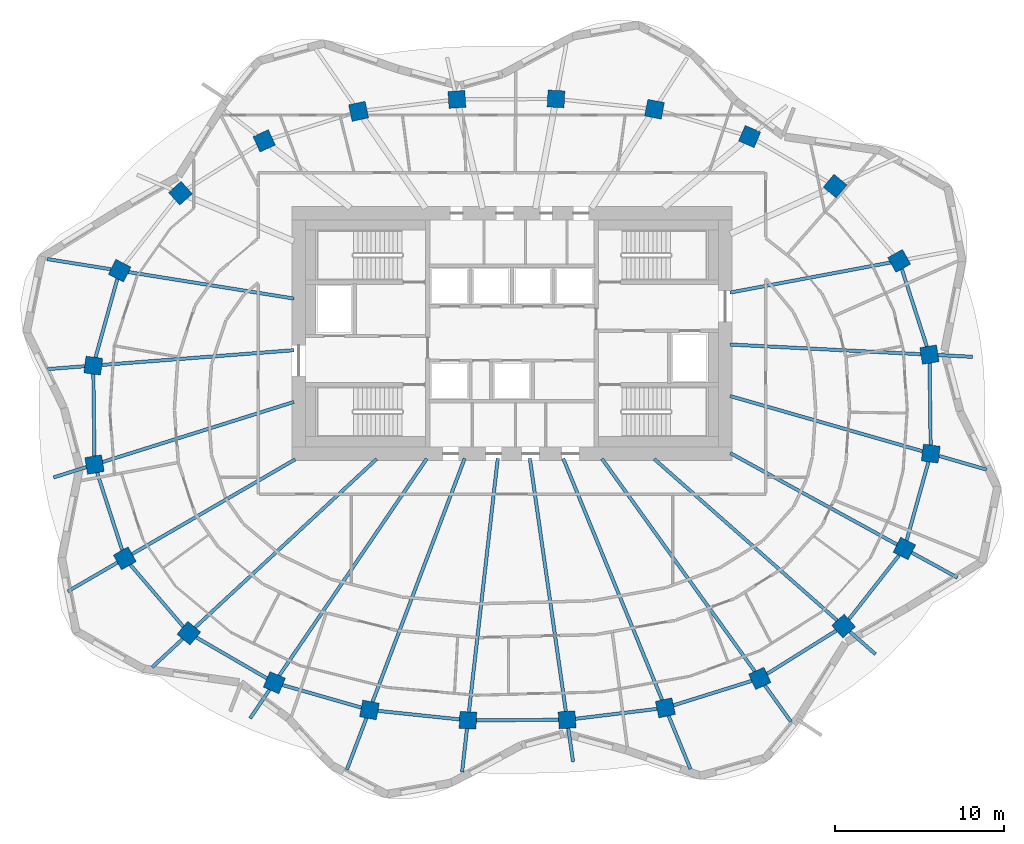
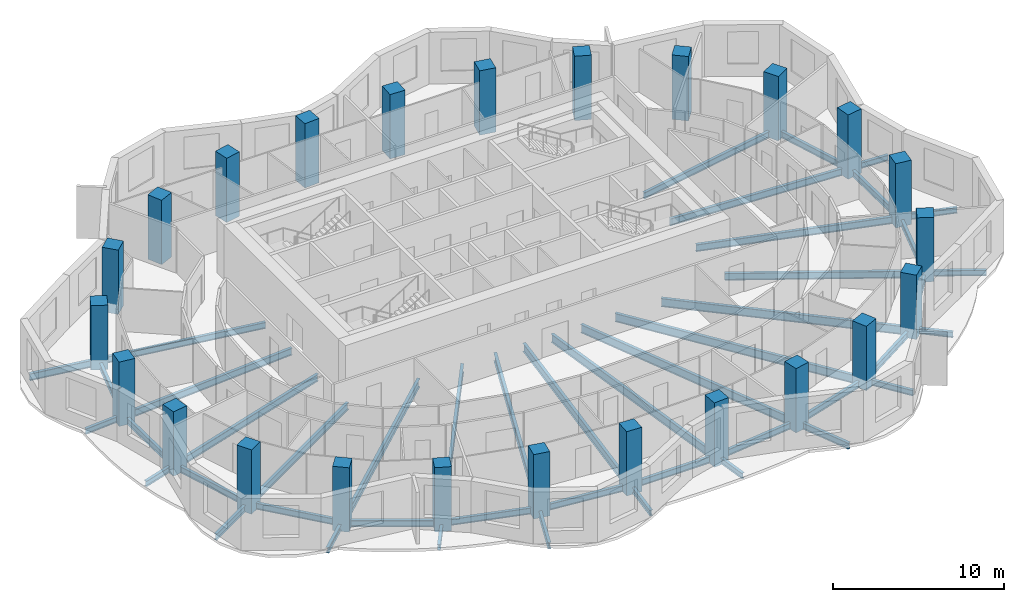
# One storey, part 1 of 11: 46 beams, 24 columns.
"""IFC4 building model written with IfcOpenShell, lengths in metres."""

from ifc_helpers import new_model, si_unit, direction, frame, origin, origin_2d, place, context, subcontext, project, spatial, rectangle, i_section, extrude, material, material_profile, profile_set, type_object, element, save


model = new_model("IFC4")

# Units and contexts
model_context = context("Model", 3, precision=1e-05, world=origin(), true_north=direction((0.0, 1.0)))
body_context = subcontext(model_context, "Body", "Model", "MODEL_VIEW")
ifc_project = project(units=[si_unit("LENGTHUNIT", "METRE"), si_unit("AREAUNIT", "SQUARE_METRE"), si_unit("VOLUMEUNIT", "CUBIC_METRE"), si_unit("PLANEANGLEUNIT", "RADIAN"), si_unit("MASSUNIT", "GRAM", prefix="KILO")], contexts=[model_context])

# Site, building, storey
site_placement = place(None, origin())
site = spatial("IfcSite", under=ifc_project, at=site_placement, CompositionType="ELEMENT")
building_placement = place(site_placement, origin())
building = spatial("IfcBuilding", under=site, at=building_placement, Name="Rubra Terraces Tower", CompositionType="ELEMENT")
storey_placement = place(building_placement, frame((0.0, 0.0, 174.0)))
storey = spatial("IfcBuildingStorey", under=building, at=storey_placement, Name="L42", CompositionType="ELEMENT", Elevation=174.0)

# Columns
ifc_material_1 = material(Name="Concrete C50", Category="concrete")
ifc_material_profile_1 = material_profile(ifc_material_1, rectangle(XDim=1.0, YDim=1.0, at=origin_2d()), Name="RC 1000x1000")
ifc_profile_set_1 = profile_set([ifc_material_profile_1], Name="Concrete C50")
column_type = type_object("IfcColumnType", Name="RING COLUMN RC 1000x1000 C50", PredefinedType="COLUMN", material=ifc_profile_set_1)
for number, where, z_axis, x_axis, name in (
    (1, (24.6689453125, 3.248046875, -0.699951171875), (0.0, 0.0, 1.0), (-0.161559167715, 0.986863027642, 0.0), "column-L42-ring-01"),
    (2, (22.87890625, 8.787109375, -0.699951171875), (0.0, 0.0, 1.0), (-0.48852601316, 0.872549330678, 0.0), "column-L42-ring-02"),
    (3, (19.092041015625, 13.208984375, -0.699951171875), (0.0, 0.0, 1.0), (-0.76886986222, 0.63940529789, 0.0), "column-L42-ring-03"),
    (4, (14.0419921875, 16.135986328125, -0.699951171875), (0.0, 0.0, 1.0), (-0.920167856842, 0.391524092789, 0.0), "column-L42-ring-04"),
    (5, (8.422119140625, 17.7490234375, -0.699951171875), (0.0, 0.0, 1.0), (-0.981654668733, 0.19066754143, 0.0), "column-L42-ring-05"),
    (6, (2.60205078125, 18.35791015625, -0.699951171875), (0.0, 0.0, 1.0), (-0.998764256028, 0.049698700995, 0.0), "column-L42-ring-06"),
    (7, (-3.25390625, 18.330078125, -0.699951171875), (0.0, 0.0, 1.0), (-0.998031548759, -0.062713855578, 0.0), "column-L42-ring-07"),
    (8, (-9.06298828125, 17.625, -0.699951171875), (0.0, 0.0, 1.0), (-0.977652674797, -0.210226657352, 0.0), "column-L42-ring-08"),
    (9, (-14.64306640625, 15.881103515625, -0.699951171875), (0.0, 0.0, 1.0), (-0.908778580451, -0.417278673927, 0.0), "column-L42-ring-09"),
    (10, (-19.593017578125, 12.7900390625, -0.699951171875), (0.0, 0.0, 1.0), (-0.744021317198, -0.668155879683, 0.0), "column-L42-ring-10"),
    (11, (-23.18505859375, 8.2099609375, -0.699951171875), (0.0, 0.0, 1.0), (-0.451027931402, -0.892509834733, 0.0), "column-L42-ring-11"),
    (12, (-24.742919921875, 2.59912109375, -0.699951171875), (0.0, 0.0, 1.0), (-0.128443684554, -0.991716804283, 0.0), "column-L42-ring-12"),
    (13, (-24.6689453125, -3.248046875, -0.699951171875), (0.0, 0.0, 1.0), (0.161559167715, -0.986863027642, 0.0), "column-L42-ring-13"),
    (14, (-22.87890625, -8.787109375, -0.699951171875), (0.0, 0.0, 1.0), (0.48852601316, -0.872549330678, 0.0), "column-L42-ring-14"),
    (15, (-19.092041015625, -13.208984375, -0.699951171875), (0.0, 0.0, 1.0), (0.76886986222, -0.63940529789, 0.0), "column-L42-ring-15"),
    (16, (-14.0419921875, -16.135986328125, -0.699951171875), (0.0, 0.0, 1.0), (0.920167856842, -0.391524092789, 0.0), "column-L42-ring-16"),
    (17, (-8.422119140625, -17.7490234375, -0.699951171875), (0.0, 0.0, 1.0), (0.981654668733, -0.19066754143, 0.0), "column-L42-ring-17"),
    (18, (-2.60205078125, -18.35791015625, -0.699951171875), (0.0, 0.0, 1.0), (0.998764256028, -0.049698700995, 0.0), "column-L42-ring-18"),
    (19, (3.25390625, -18.330078125, -0.699951171875), (0.0, 0.0, 1.0), (0.998031548759, 0.062713855578, 0.0), "column-L42-ring-19"),
    (20, (9.06298828125, -17.625, -0.699951171875), (0.0, 0.0, 1.0), (0.977652674797, 0.210226657352, 0.0), "column-L42-ring-20"),
    (21, (14.64306640625, -15.881103515625, -0.699951171875), (0.0, 0.0, 1.0), (0.908778580451, 0.417278673927, 0.0), "column-L42-ring-21"),
    (22, (19.593017578125, -12.7900390625, -0.699951171875), (0.0, 0.0, 1.0), (0.744021317198, 0.668155879683, 0.0), "column-L42-ring-22"),
    (23, (23.18505859375, -8.2099609375, -0.699951171875), (0.0, 0.0, 1.0), (0.451027931402, 0.892509834733, 0.0), "column-L42-ring-23"),
    (24, (24.742919921875, -2.59912109375, -0.699951171875), (0.0, 0.0, 1.0), (0.128443684554, 0.991716804283, 0.0), "column-L42-ring-24"),
):
    element("IfcColumn", number, at=place(storey_placement, frame(where, z_axis=z_axis, x_axis=x_axis)), inside=storey, type_object=column_type, Name=name, PredefinedType="COLUMN", context=body_context, shape_type="SweptSolid", body=[
        extrude(rectangle(XDim=1.0, YDim=1.0, at=origin_2d()), origin(), (0.0, 0.0, 1.0), 4.599853515625),
    ])

# Beams
ifc_material_2 = material(Name="Steel Q355B", Category="steel")
ifc_material_profile_2 = material_profile(ifc_material_2, i_section(OverallWidth=0.199951171875, OverallDepth=0.39990234375, WebThickness=0.008056640625, FlangeThickness=0.012939453125, at=origin_2d()), Name="HN 400x200x8x13")
ifc_profile_set_2 = profile_set([ifc_material_profile_2], Name="Steel Q355B")
beam_type_1 = type_object("IfcBeamType", Name="CANTILEVER BEAM HN 400x200x8x13", PredefinedType="BEAM", material=ifc_profile_set_2)
beam_1_placement = place(storey_placement, frame((25.179931640625, 3.221923828125, -0.39990234375), z_axis=(0.99870842359, -0.05080831281, 0.0), x_axis=(0.05080831281, 0.99870842359, 0.0)))
element("IfcBeam", 25, at=beam_1_placement, inside=storey, type_object=beam_type_1, Name="beam-L42-cant-01", PredefinedType="BEAM", context=body_context, shape_type="SweptSolid", body=[
    extrude(i_section(OverallWidth=0.199951171875, OverallDepth=0.39990234375, WebThickness=0.008056640625, FlangeThickness=0.012939453125, at=origin_2d()), origin(), (0.0, 0.0, 1.0), 2.02783203125),
])
beam_2_placement = place(storey_placement, frame((-25.251953125, 2.56005859375, -0.39990234375), z_axis=(-0.997072655985, -0.076459915552, 0.0), x_axis=(0.076459915552, -0.997072655985, 0.0)))
element("IfcBeam", 26, at=beam_2_placement, inside=storey, type_object=beam_type_1, Name="beam-L42-cant-12", PredefinedType="BEAM", context=body_context, shape_type="SweptSolid", body=[
    extrude(i_section(OverallWidth=0.199951171875, OverallDepth=0.39990234375, WebThickness=0.008056640625, FlangeThickness=0.012939453125, at=origin_2d()), origin(), (0.0, 0.0, 1.0), 2.20947265625),
])
beam_3_placement = place(storey_placement, frame((-25.15087890625, -3.39892578125, -0.39990234375), z_axis=(-0.953943590819, -0.299986042235, 0.0), x_axis=(0.299986042235, -0.953943590819, 0.0)))
element("IfcBeam", 27, at=beam_3_placement, inside=storey, type_object=beam_type_1, Name="beam-L42-cant-13", PredefinedType="BEAM", context=body_context, shape_type="SweptSolid", body=[
    extrude(i_section(OverallWidth=0.199951171875, OverallDepth=0.39990234375, WebThickness=0.008056640625, FlangeThickness=0.012939453125, at=origin_2d()), origin(), (0.0, 0.0, 1.0), 2.030517578125),
])
beam_4_placement = place(storey_placement, frame((-19.4619140625, -13.552001953125, -0.39990234375), z_axis=(-0.733131141313, -0.6800872956, 0.0), x_axis=(0.6800872956, -0.733131141313, 0.0)))
element("IfcBeam", 28, at=beam_4_placement, inside=storey, type_object=beam_type_1, Name="beam-L42-cant-15", PredefinedType="BEAM", context=body_context, shape_type="SweptSolid", body=[
    extrude(i_section(OverallWidth=0.199951171875, OverallDepth=0.39990234375, WebThickness=0.008056640625, FlangeThickness=0.012939453125, at=origin_2d()), origin(), (0.0, 0.0, 1.0), 2.4716796875),
])
beam_5_placement = place(storey_placement, frame((-14.3291015625, -16.556884765625, -0.39990234375), z_axis=(-0.56217604695, -0.827017588831, 0.0), x_axis=(0.827017588831, -0.56217604695, 0.0)))
element("IfcBeam", 29, at=beam_5_placement, inside=storey, type_object=beam_type_1, Name="beam-L42-cant-16", PredefinedType="BEAM", context=body_context, shape_type="SweptSolid", body=[
    extrude(i_section(OverallWidth=0.199951171875, OverallDepth=0.39990234375, WebThickness=0.008056640625, FlangeThickness=0.012939453125, at=origin_2d()), origin(), (0.0, 0.0, 1.0), 2.043701171875),
])
beam_6_placement = place(storey_placement, frame((-2.658935546875, -18.85595703125, -0.39990234375), z_axis=(-0.11286294962, -0.993610564861, 0.0), x_axis=(0.993610564861, -0.11286294962, 0.0)))
element("IfcBeam", 30, at=beam_6_placement, inside=storey, type_object=beam_type_1, Name="beam-L42-cant-18", PredefinedType="BEAM", context=body_context, shape_type="SweptSolid", body=[
    extrude(i_section(OverallWidth=0.199951171875, OverallDepth=0.39990234375, WebThickness=0.008056640625, FlangeThickness=0.012939453125, at=origin_2d()), origin(), (0.0, 0.0, 1.0), 2.578369140625),
])
beam_7_placement = place(storey_placement, frame((3.324951171875, -18.826904296875, -0.39990234375), z_axis=(0.140978579341, -0.990012646468, 0.0), x_axis=(0.990012646468, 0.140978579341, 0.0)))
element("IfcBeam", 31, at=beam_7_placement, inside=storey, type_object=beam_type_1, Name="beam-L42-cant-19", PredefinedType="BEAM", context=body_context, shape_type="SweptSolid", body=[
    extrude(i_section(OverallWidth=0.199951171875, OverallDepth=0.39990234375, WebThickness=0.008056640625, FlangeThickness=0.012939453125, at=origin_2d()), origin(), (0.0, 0.0, 1.0), 2.007080078125),
])
beam_8_placement = place(storey_placement, frame((14.93994140625, -16.294921875, -0.39990234375), z_axis=(0.583708638616, -0.811963192026, 0.0), x_axis=(0.811963192026, 0.583708638616, 0.0)))
element("IfcBeam", 32, at=beam_8_placement, inside=storey, type_object=beam_type_1, Name="beam-L42-cant-21", PredefinedType="BEAM", context=body_context, shape_type="SweptSolid", body=[
    extrude(i_section(OverallWidth=0.199951171875, OverallDepth=0.39990234375, WebThickness=0.008056640625, FlangeThickness=0.012939453125, at=origin_2d()), origin(), (0.0, 0.0, 1.0), 2.63330078125),
])
beam_9_placement = place(storey_placement, frame((19.969970703125, -13.123046875, -0.39990234375), z_axis=(0.749880449764, -0.661573360303, 0.0), x_axis=(0.661573360303, 0.749880449764, 0.0)))
element("IfcBeam", 33, at=beam_9_placement, inside=storey, type_object=beam_type_1, Name="beam-L42-cant-22", PredefinedType="BEAM", context=body_context, shape_type="SweptSolid", body=[
    extrude(i_section(OverallWidth=0.199951171875, OverallDepth=0.39990234375, WebThickness=0.008056640625, FlangeThickness=0.012939453125, at=origin_2d()), origin(), (0.0, 0.0, 1.0), 2.007080078125),
])
beam_10_placement = place(storey_placement, frame((23.6240234375, -8.449951171875, -0.39990234375), z_axis=(0.876753057926, -0.480940823197, 0.0), x_axis=(0.480940823197, 0.876753057926, 0.0)))
element("IfcBeam", 34, at=beam_10_placement, inside=storey, type_object=beam_type_1, Name="beam-L42-cant-23", PredefinedType="BEAM", context=body_context, shape_type="SweptSolid", body=[
    extrude(i_section(OverallWidth=0.199951171875, OverallDepth=0.39990234375, WebThickness=0.008056640625, FlangeThickness=0.012939453125, at=origin_2d()), origin(), (0.0, 0.0, 1.0), 3.0771484375),
])
beam_11_placement = place(storey_placement, frame((25.22900390625, -2.738037109375, -0.39990234375), z_axis=(0.961186154609, -0.275900663625, 0.0), x_axis=(0.275900663625, 0.961186154609, 0.0)))
element("IfcBeam", 35, at=beam_11_placement, inside=storey, type_object=beam_type_1, Name="beam-L42-cant-24", PredefinedType="BEAM", context=body_context, shape_type="SweptSolid", body=[
    extrude(i_section(OverallWidth=0.199951171875, OverallDepth=0.39990234375, WebThickness=0.008056640625, FlangeThickness=0.012939453125, at=origin_2d()), origin(), (0.0, 0.0, 1.0), 2.924560546875),
])
ifc_material_profile_3 = material_profile(ifc_material_2, i_section(OverallWidth=0.198974609375, OverallDepth=0.446044921875, WebThickness=0.008056640625, FlangeThickness=0.011962890625, at=origin_2d()), Name="HN 446x199x8x12")
ifc_profile_set_3 = profile_set([ifc_material_profile_3], Name="Steel Q355B")
beam_type_2 = type_object("IfcBeamType", Name="CANTILEVER BEAM HN 446x199x8x12", PredefinedType="BEAM", material=ifc_profile_set_3)
beam_12_placement = place(storey_placement, frame((-23.31103515625, -9.0380859375, -0.423095703125), z_axis=(-0.864731547831, -0.50223435783, 0.0), x_axis=(0.50223435783, -0.864731547831, 0.0)))
element("IfcBeam", 36, at=beam_12_placement, inside=storey, type_object=beam_type_2, Name="beam-L42-cant-14", PredefinedType="BEAM", context=body_context, shape_type="SweptSolid", body=[
    extrude(i_section(OverallWidth=0.198974609375, OverallDepth=0.446044921875, WebThickness=0.008056640625, FlangeThickness=0.011962890625, at=origin_2d()), origin(), (0.0, 0.0, 1.0), 3.396484375),
])
beam_13_placement = place(storey_placement, frame((-8.60205078125, -18.222900390625, -0.423095703125), z_axis=(-0.353886787497, -0.935288266597, 0.0), x_axis=(0.935288266597, -0.353886787497, 0.0)))
element("IfcBeam", 37, at=beam_13_placement, inside=storey, type_object=beam_type_2, Name="beam-L42-cant-17", PredefinedType="BEAM", context=body_context, shape_type="SweptSolid", body=[
    extrude(i_section(OverallWidth=0.198974609375, OverallDepth=0.446044921875, WebThickness=0.008056640625, FlangeThickness=0.011962890625, at=origin_2d()), origin(), (0.0, 0.0, 1.0), 3.260986328125),
])
beam_14_placement = place(storey_placement, frame((9.256103515625, -18.094970703125, -0.423095703125), z_axis=(0.378957804719, -0.925413951831, 0.0), x_axis=(0.925413951831, 0.378957804719, 0.0)))
element("IfcBeam", 38, at=beam_14_placement, inside=storey, type_object=beam_type_2, Name="beam-L42-cant-20", PredefinedType="BEAM", context=body_context, shape_type="SweptSolid", body=[
    extrude(i_section(OverallWidth=0.198974609375, OverallDepth=0.446044921875, WebThickness=0.008056640625, FlangeThickness=0.011962890625, at=origin_2d()), origin(), (0.0, 0.0, 1.0), 3.393310546875),
])
ifc_material_profile_4 = material_profile(ifc_material_2, i_section(OverallWidth=0.198974609375, OverallDepth=0.49609375, WebThickness=0.009033203125, FlangeThickness=0.013916015625, at=origin_2d()), Name="HN 496x199x9x14")
ifc_profile_set_4 = profile_set([ifc_material_profile_4], Name="Steel Q355B")
beam_type_3 = type_object("IfcBeamType", Name="CANTILEVER BEAM HN 496x199x9x14", PredefinedType="BEAM", material=ifc_profile_set_4)
beam_15_placement = place(storey_placement, frame((-23.702880859375, 8.29296875, -0.447998046875), z_axis=(-0.98745581053, 0.157895605548, 0.0), x_axis=(-0.157895605548, -0.98745581053, 0.0)))
element("IfcBeam", 39, at=beam_15_placement, inside=storey, type_object=beam_type_3, Name="beam-L42-cant-11", PredefinedType="BEAM", context=body_context, shape_type="SweptSolid", body=[
    extrude(i_section(OverallWidth=0.198974609375, OverallDepth=0.49609375, WebThickness=0.009033203125, FlangeThickness=0.013916015625, at=origin_2d()), origin(), (0.0, 0.0, 1.0), 3.81298828125),
])
ifc_material_profile_5 = material_profile(ifc_material_2, i_section(OverallWidth=0.198974609375, OverallDepth=0.446044921875, WebThickness=0.008056640625, FlangeThickness=0.011962890625, at=origin_2d()), Name="HN 446x199x8x12")
ifc_profile_set_5 = profile_set([ifc_material_profile_5], Name="Steel Q355B")
beam_type_4 = type_object("IfcBeamType", Name="FLOOR BEAM HN 446x199x8x12", PredefinedType="BEAM", material=ifc_profile_set_5)
beam_16_placement = place(storey_placement, frame((22.360107421875, 8.68994140625, -0.423095703125), z_axis=(-0.982895681695, -0.18416318553, 0.0), x_axis=(0.18416318553, -0.982895681695, 0.0)))
element("IfcBeam", 40, at=beam_16_placement, inside=storey, type_object=beam_type_4, Name="beam-L42-floor-02", PredefinedType="BEAM", context=body_context, shape_type="SweptSolid", body=[
    extrude(i_section(OverallWidth=0.198974609375, OverallDepth=0.446044921875, WebThickness=0.008056640625, FlangeThickness=0.011962890625, at=origin_2d()), origin(), (0.0, 0.0, 1.0), 9.64306640625),
])
beam_17_placement = place(storey_placement, frame((-22.6669921875, 8.126953125, -0.423095703125), z_axis=(0.987435404133, -0.158023171289, 0.0), x_axis=(0.158023171289, 0.987435404133, 0.0)))
element("IfcBeam", 41, at=beam_17_placement, inside=storey, type_object=beam_type_4, Name="beam-L42-floor-11", PredefinedType="BEAM", context=body_context, shape_type="SweptSolid", body=[
    extrude(i_section(OverallWidth=0.198974609375, OverallDepth=0.446044921875, WebThickness=0.008056640625, FlangeThickness=0.011962890625, at=origin_2d()), origin(), (0.0, 0.0, 1.0), 9.909423828125),
])
ifc_material_profile_6 = material_profile(ifc_material_2, i_section(OverallWidth=0.198974609375, OverallDepth=0.49609375, WebThickness=0.009033203125, FlangeThickness=0.013916015625, at=origin_2d()), Name="HN 496x199x9x14")
ifc_profile_set_6 = profile_set([ifc_material_profile_6], Name="Steel Q355B")
beam_type_5 = type_object("IfcBeamType", Name="FLOOR BEAM HN 496x199x9x14", PredefinedType="BEAM", material=ifc_profile_set_6)
beam_18_placement = place(storey_placement, frame((24.157958984375, 3.27392578125, -0.447998046875), z_axis=(-0.998716228561, 0.050654662269, 0.0), x_axis=(-0.050654662269, -0.998716228561, 0.0)))
element("IfcBeam", 42, at=beam_18_placement, inside=storey, type_object=beam_type_5, Name="beam-L42-floor-01", PredefinedType="BEAM", context=body_context, shape_type="SweptSolid", body=[
    extrude(i_section(OverallWidth=0.198974609375, OverallDepth=0.49609375, WebThickness=0.009033203125, FlangeThickness=0.013916015625, at=origin_2d()), origin(), (0.0, 0.0, 1.0), 11.29248046875),
])
beam_19_placement = place(storey_placement, frame((-24.23388671875, 2.637939453125, -0.447998046875), z_axis=(0.997063306908, 0.076581734234, 0.0), x_axis=(-0.076581734234, 0.997063306908, 0.0)))
element("IfcBeam", 43, at=beam_19_placement, inside=storey, type_object=beam_type_5, Name="beam-L42-floor-12", PredefinedType="BEAM", context=body_context, shape_type="SweptSolid", body=[
    extrude(i_section(OverallWidth=0.198974609375, OverallDepth=0.49609375, WebThickness=0.009033203125, FlangeThickness=0.013916015625, at=origin_2d()), origin(), (0.0, 0.0, 1.0), 11.387451171875),
])
beam_20_placement = place(storey_placement, frame((-24.18701171875, -3.096923828125, -0.447998046875), z_axis=(0.954040699023, 0.299677067204, 0.0), x_axis=(-0.299677067204, 0.954040699023, 0.0)))
element("IfcBeam", 44, at=beam_20_placement, inside=storey, type_object=beam_type_5, Name="beam-L42-floor-13", PredefinedType="BEAM", context=body_context, shape_type="SweptSolid", body=[
    extrude(i_section(OverallWidth=0.198974609375, OverallDepth=0.49609375, WebThickness=0.009033203125, FlangeThickness=0.013916015625, at=origin_2d()), origin(), (0.0, 0.0, 1.0), 11.845458984375),
])
beam_21_placement = place(storey_placement, frame((-22.447021484375, -8.535888671875, -0.447998046875), z_axis=(0.864755491844, 0.502193129508, 0.0), x_axis=(-0.502193129508, 0.864755491844, 0.0)))
element("IfcBeam", 45, at=beam_21_placement, inside=storey, type_object=beam_type_5, Name="beam-L42-floor-14", PredefinedType="BEAM", context=body_context, shape_type="SweptSolid", body=[
    extrude(i_section(OverallWidth=0.198974609375, OverallDepth=0.49609375, WebThickness=0.009033203125, FlangeThickness=0.013916015625, at=origin_2d()), origin(), (0.0, 0.0, 1.0), 11.14306640625),
])
beam_22_placement = place(storey_placement, frame((22.74609375, -7.969970703125, -0.447998046875), z_axis=(-0.876862055903, 0.480742066932, 0.0), x_axis=(-0.480742066932, -0.876862055903, 0.0)))
element("IfcBeam", 46, at=beam_22_placement, inside=storey, type_object=beam_type_5, Name="beam-L42-floor-23", PredefinedType="BEAM", context=body_context, shape_type="SweptSolid", body=[
    extrude(i_section(OverallWidth=0.198974609375, OverallDepth=0.49609375, WebThickness=0.009033203125, FlangeThickness=0.013916015625, at=origin_2d()), origin(), (0.0, 0.0, 1.0), 11.234375),
])
beam_23_placement = place(storey_placement, frame((24.257080078125, -2.4599609375, -0.447998046875), z_axis=(-0.961215754667, 0.275797521707, 0.0), x_axis=(-0.275797521707, -0.961215754667, 0.0)))
element("IfcBeam", 47, at=beam_23_placement, inside=storey, type_object=beam_type_5, Name="beam-L42-floor-24", PredefinedType="BEAM", context=body_context, shape_type="SweptSolid", body=[
    extrude(i_section(OverallWidth=0.198974609375, OverallDepth=0.49609375, WebThickness=0.009033203125, FlangeThickness=0.013916015625, at=origin_2d()), origin(), (0.0, 0.0, 1.0), 11.830810546875),
])
ifc_material_profile_7 = material_profile(ifc_material_2, i_section(OverallWidth=0.198974609375, OverallDepth=0.595947265625, WebThickness=0.010009765625, FlangeThickness=0.014892578125, at=origin_2d()), Name="HN 596x199x10x15")
ifc_profile_set_7 = profile_set([ifc_material_profile_7], Name="Steel Q355B")
beam_type_6 = type_object("IfcBeamType", Name="FLOOR BEAM HN 596x199x10x15", PredefinedType="BEAM", material=ifc_profile_set_7)
beam_24_placement = place(storey_placement, frame((-18.721923828125, -12.865966796875, -0.498046875), z_axis=(0.733130458484, 0.680088031687, 0.0), x_axis=(-0.680088031687, 0.733130458484, 0.0)))
element("IfcBeam", 48, at=beam_24_placement, inside=storey, type_object=beam_type_6, Name="beam-L42-floor-15", PredefinedType="BEAM", context=body_context, shape_type="SweptSolid", body=[
    extrude(i_section(OverallWidth=0.198974609375, OverallDepth=0.595947265625, WebThickness=0.010009765625, FlangeThickness=0.014892578125, at=origin_2d()), origin(), (0.0, 0.0, 1.0), 14.62744140625),
])
beam_25_placement = place(storey_placement, frame((-13.7548828125, -15.715087890625, -0.498046875), z_axis=(0.562545242124, 0.826766503049, 0.0), x_axis=(-0.826766503049, 0.562545242124, 0.0)))
element("IfcBeam", 49, at=beam_25_placement, inside=storey, type_object=beam_type_6, Name="beam-L42-floor-16", PredefinedType="BEAM", context=body_context, shape_type="SweptSolid", body=[
    extrude(i_section(OverallWidth=0.198974609375, OverallDepth=0.595947265625, WebThickness=0.010009765625, FlangeThickness=0.014892578125, at=origin_2d()), origin(), (0.0, 0.0, 1.0), 15.499267578125),
])
beam_26_placement = place(storey_placement, frame((-8.241943359375, -17.27490234375, -0.498046875), z_axis=(0.353955134415, 0.93526240319, 0.0), x_axis=(-0.93526240319, 0.353955134415, 0.0)))
element("IfcBeam", 50, at=beam_26_placement, inside=storey, type_object=beam_type_6, Name="beam-L42-floor-17", PredefinedType="BEAM", context=body_context, shape_type="SweptSolid", body=[
    extrude(i_section(OverallWidth=0.198974609375, OverallDepth=0.595947265625, WebThickness=0.010009765625, FlangeThickness=0.014892578125, at=origin_2d()), origin(), (0.0, 0.0, 1.0), 15.3828125),
])
beam_27_placement = place(storey_placement, frame((-2.544921875, -17.860107421875, -0.498046875), z_axis=(0.113084825914, 0.993585337124, 0.0), x_axis=(-0.993585337124, 0.113084825914, 0.0)))
element("IfcBeam", 51, at=beam_27_placement, inside=storey, type_object=beam_type_6, Name="beam-L42-floor-18", PredefinedType="BEAM", context=body_context, shape_type="SweptSolid", body=[
    extrude(i_section(OverallWidth=0.198974609375, OverallDepth=0.595947265625, WebThickness=0.010009765625, FlangeThickness=0.014892578125, at=origin_2d()), origin(), (0.0, 0.0, 1.0), 15.07568359375),
])
beam_28_placement = place(storey_placement, frame((3.18310546875, -17.8330078125, -0.498046875), z_axis=(-0.141104514479, 0.989994705033, 0.0), x_axis=(-0.989994705033, -0.141104514479, 0.0)))
element("IfcBeam", 52, at=beam_28_placement, inside=storey, type_object=beam_type_6, Name="beam-L42-floor-19", PredefinedType="BEAM", context=body_context, shape_type="SweptSolid", body=[
    extrude(i_section(OverallWidth=0.198974609375, OverallDepth=0.595947265625, WebThickness=0.010009765625, FlangeThickness=0.014892578125, at=origin_2d()), origin(), (0.0, 0.0, 1.0), 15.10302734375),
])
beam_29_placement = place(storey_placement, frame((8.8701171875, -17.155029296875, -0.498046875), z_axis=(-0.379015131933, 0.925390474214, 0.0), x_axis=(-0.925390474214, -0.379015131933, 0.0)))
element("IfcBeam", 53, at=beam_29_placement, inside=storey, type_object=beam_type_6, Name="beam-L42-floor-20", PredefinedType="BEAM", context=body_context, shape_type="SweptSolid", body=[
    extrude(i_section(OverallWidth=0.198974609375, OverallDepth=0.595947265625, WebThickness=0.010009765625, FlangeThickness=0.014892578125, at=origin_2d()), origin(), (0.0, 0.0, 1.0), 15.416259765625),
])
beam_30_placement = place(storey_placement, frame((14.345947265625, -15.467041015625, -0.498046875), z_axis=(-0.583528740197, 0.812092488183, 0.0), x_axis=(-0.812092488183, -0.583528740197, 0.0)))
element("IfcBeam", 54, at=beam_30_placement, inside=storey, type_object=beam_type_6, Name="beam-L42-floor-21", PredefinedType="BEAM", context=body_context, shape_type="SweptSolid", body=[
    extrude(i_section(OverallWidth=0.198974609375, OverallDepth=0.595947265625, WebThickness=0.010009765625, FlangeThickness=0.014892578125, at=origin_2d()), origin(), (0.0, 0.0, 1.0), 15.47119140625),
])
beam_31_placement = place(storey_placement, frame((19.216064453125, -12.45703125, -0.498046875), z_axis=(-0.749823025288, 0.661638444128, 0.0), x_axis=(-0.661638444128, -0.749823025288, 0.0)))
element("IfcBeam", 55, at=beam_31_placement, inside=storey, type_object=beam_type_6, Name="beam-L42-floor-22", PredefinedType="BEAM", context=body_context, shape_type="SweptSolid", body=[
    extrude(i_section(OverallWidth=0.198974609375, OverallDepth=0.595947265625, WebThickness=0.010009765625, FlangeThickness=0.014892578125, at=origin_2d()), origin(), (0.0, 0.0, 1.0), 14.412841796875),
])
ifc_material_profile_8 = material_profile(ifc_material_2, i_section(OverallWidth=0.198974609375, OverallDepth=0.446044921875, WebThickness=0.008056640625, FlangeThickness=0.011962890625, at=origin_2d()), Name="HN 446x199x8x12")
ifc_profile_set_8 = profile_set([ifc_material_profile_8], Name="Steel Q355B")
beam_type_7 = type_object("IfcBeamType", Name="SPANDREL BEAM HN 446x199x8x12", PredefinedType="SPANDREL", material=ifc_profile_set_8)
beam_32_placement = place(storey_placement, frame((24.512939453125, 3.72900390625, -0.423095703125), z_axis=(-0.307359002872, 0.951593633519, 0.0), x_axis=(-0.951593633519, -0.307359002872, 0.0)))
element("IfcBeam", 56, at=beam_32_placement, inside=storey, type_object=beam_type_7, Name="beam-L42-spandrel-01", PredefinedType="SPANDREL", context=body_context, shape_type="SweptSolid", body=[
    extrude(i_section(OverallWidth=0.198974609375, OverallDepth=0.446044921875, WebThickness=0.008056640625, FlangeThickness=0.011962890625, at=origin_2d()), origin(), (0.0, 0.0, 1.0), 4.8056640625),
])
beam_33_placement = place(storey_placement, frame((-23.321044921875, 7.718994140625, -0.423095703125), z_axis=(-0.267625533012, -0.963523001324, 0.0), x_axis=(0.963523001324, -0.267625533012, 0.0)))
element("IfcBeam", 57, at=beam_33_placement, inside=storey, type_object=beam_type_7, Name="beam-L42-spandrel-11", PredefinedType="SPANDREL", context=body_context, shape_type="SweptSolid", body=[
    extrude(i_section(OverallWidth=0.198974609375, OverallDepth=0.446044921875, WebThickness=0.008056640625, FlangeThickness=0.011962890625, at=origin_2d()), origin(), (0.0, 0.0, 1.0), 4.808349609375),
])
beam_34_placement = place(storey_placement, frame((-24.737060546875, 2.093994140625, -0.423095703125), z_axis=(0.012822047643, -0.999917794168, 0.0), x_axis=(0.999917794168, 0.012822047643, 0.0)))
element("IfcBeam", 58, at=beam_34_placement, inside=storey, type_object=beam_type_7, Name="beam-L42-spandrel-12", PredefinedType="SPANDREL", context=body_context, shape_type="SweptSolid", body=[
    extrude(i_section(OverallWidth=0.198974609375, OverallDepth=0.446044921875, WebThickness=0.008056640625, FlangeThickness=0.011962890625, at=origin_2d()), origin(), (0.0, 0.0, 1.0), 4.83642578125),
])
beam_35_placement = place(storey_placement, frame((-24.512939453125, -3.72900390625, -0.423095703125), z_axis=(0.307359002872, -0.951593633519, 0.0), x_axis=(0.951593633519, 0.307359002872, 0.0)))
element("IfcBeam", 59, at=beam_35_placement, inside=storey, type_object=beam_type_7, Name="beam-L42-spandrel-13", PredefinedType="SPANDREL", context=body_context, shape_type="SweptSolid", body=[
    extrude(i_section(OverallWidth=0.198974609375, OverallDepth=0.446044921875, WebThickness=0.008056640625, FlangeThickness=0.011962890625, at=origin_2d()), origin(), (0.0, 0.0, 1.0), 4.8056640625),
])
beam_36_placement = place(storey_placement, frame((-22.547119140625, -9.174072265625, -0.423095703125), z_axis=(0.650372836218, -0.759615148552, 0.0), x_axis=(0.759615148552, 0.650372836218, 0.0)))
element("IfcBeam", 60, at=beam_36_placement, inside=storey, type_object=beam_type_7, Name="beam-L42-spandrel-14", PredefinedType="SPANDREL", context=body_context, shape_type="SweptSolid", body=[
    extrude(i_section(OverallWidth=0.198974609375, OverallDepth=0.446044921875, WebThickness=0.008056640625, FlangeThickness=0.011962890625, at=origin_2d()), origin(), (0.0, 0.0, 1.0), 4.804931640625),
])
beam_37_placement = place(storey_placement, frame((-18.653076171875, -13.462890625, -0.423095703125), z_axis=(0.865153680787, -0.501506838059, 0.0), x_axis=(0.501506838059, 0.865153680787, 0.0)))
element("IfcBeam", 61, at=beam_37_placement, inside=storey, type_object=beam_type_7, Name="beam-L42-spandrel-15", PredefinedType="SPANDREL", context=body_context, shape_type="SweptSolid", body=[
    extrude(i_section(OverallWidth=0.198974609375, OverallDepth=0.446044921875, WebThickness=0.008056640625, FlangeThickness=0.011962890625, at=origin_2d()), origin(), (0.0, 0.0, 1.0), 4.82568359375),
])
beam_38_placement = place(storey_placement, frame((-13.55810546875, -16.27490234375, -0.423095703125), z_axis=(0.961171164323, -0.275952881621, 0.0), x_axis=(0.275952881621, 0.961171164323, 0.0)))
element("IfcBeam", 62, at=beam_38_placement, inside=storey, type_object=beam_type_7, Name="beam-L42-spandrel-16", PredefinedType="SPANDREL", context=body_context, shape_type="SweptSolid", body=[
    extrude(i_section(OverallWidth=0.198974609375, OverallDepth=0.446044921875, WebThickness=0.008056640625, FlangeThickness=0.011962890625, at=origin_2d()), origin(), (0.0, 0.0, 1.0), 4.842041015625),
])
beam_39_placement = place(storey_placement, frame((-7.923095703125, -17.801025390625, -0.423095703125), z_axis=(0.994565426955, -0.104113454971, 0.0), x_axis=(0.104113454971, 0.994565426955, 0.0)))
element("IfcBeam", 63, at=beam_39_placement, inside=storey, type_object=beam_type_7, Name="beam-L42-spandrel-17", PredefinedType="SPANDREL", context=body_context, shape_type="SweptSolid", body=[
    extrude(i_section(OverallWidth=0.198974609375, OverallDepth=0.446044921875, WebThickness=0.008056640625, FlangeThickness=0.011962890625, at=origin_2d()), origin(), (0.0, 0.0, 1.0), 4.849365234375),
])
beam_40_placement = place(storey_placement, frame((-2.10107421875, -18.35595703125, -0.423095703125), z_axis=(0.999987852299, 0.004929021704, 0.0), x_axis=(-0.004929021704, 0.999987852299, 0.0)))
element("IfcBeam", 64, at=beam_40_placement, inside=storey, type_object=beam_type_7, Name="beam-L42-spandrel-18", PredefinedType="SPANDREL", context=body_context, shape_type="SweptSolid", body=[
    extrude(i_section(OverallWidth=0.198974609375, OverallDepth=0.446044921875, WebThickness=0.008056640625, FlangeThickness=0.011962890625, at=origin_2d()), origin(), (0.0, 0.0, 1.0), 4.85400390625),
])
beam_41_placement = place(storey_placement, frame((3.7509765625, -18.27001953125, -0.423095703125), z_axis=(0.992698018573, 0.120626049929, 0.0), x_axis=(-0.120626049929, 0.992698018573, 0.0)))
element("IfcBeam", 65, at=beam_41_placement, inside=storey, type_object=beam_type_7, Name="beam-L42-spandrel-19", PredefinedType="SPANDREL", context=body_context, shape_type="SweptSolid", body=[
    extrude(i_section(OverallWidth=0.198974609375, OverallDepth=0.446044921875, WebThickness=0.008056640625, FlangeThickness=0.011962890625, at=origin_2d()), origin(), (0.0, 0.0, 1.0), 4.849365234375),
])
beam_42_placement = place(storey_placement, frame((9.5419921875, -17.47509765625, -0.423095703125), z_axis=(0.954462027342, 0.298332429282, 0.0), x_axis=(-0.298332429282, 0.954462027342, 0.0)))
element("IfcBeam", 66, at=beam_42_placement, inside=storey, type_object=beam_type_7, Name="beam-L42-spandrel-20", PredefinedType="SPANDREL", context=body_context, shape_type="SweptSolid", body=[
    extrude(i_section(OverallWidth=0.198974609375, OverallDepth=0.446044921875, WebThickness=0.008056640625, FlangeThickness=0.011962890625, at=origin_2d()), origin(), (0.0, 0.0, 1.0), 4.840576171875),
])
beam_43_placement = place(storey_placement, frame((15.071044921875, -15.614013671875, -0.423095703125), z_axis=(0.848183088492, 0.529703170083, 0.0), x_axis=(-0.529703170083, 0.848183088492, 0.0)))
element("IfcBeam", 67, at=beam_43_placement, inside=storey, type_object=beam_type_7, Name="beam-L42-spandrel-21", PredefinedType="SPANDREL", context=body_context, shape_type="SweptSolid", body=[
    extrude(i_section(OverallWidth=0.198974609375, OverallDepth=0.446044921875, WebThickness=0.008056640625, FlangeThickness=0.011962890625, at=origin_2d()), origin(), (0.0, 0.0, 1.0), 4.8232421875),
])
beam_44_placement = place(storey_placement, frame((19.906005859375, -12.39111328125, -0.423095703125), z_axis=(0.617060338015, 0.786915840004, 0.0), x_axis=(-0.786915840004, 0.617060338015, 0.0)))
element("IfcBeam", 68, at=beam_44_placement, inside=storey, type_object=beam_type_7, Name="beam-L42-spandrel-22", PredefinedType="SPANDREL", context=body_context, shape_type="SweptSolid", body=[
    extrude(i_section(OverallWidth=0.198974609375, OverallDepth=0.446044921875, WebThickness=0.008056640625, FlangeThickness=0.011962890625, at=origin_2d()), origin(), (0.0, 0.0, 1.0), 4.8037109375),
])
beam_45_placement = place(storey_placement, frame((23.321044921875, -7.718994140625, -0.423095703125), z_axis=(0.267625533012, 0.963523001324, 0.0), x_axis=(-0.963523001324, 0.267625533012, 0.0)))
element("IfcBeam", 69, at=beam_45_placement, inside=storey, type_object=beam_type_7, Name="beam-L42-spandrel-23", PredefinedType="SPANDREL", context=body_context, shape_type="SweptSolid", body=[
    extrude(i_section(OverallWidth=0.198974609375, OverallDepth=0.446044921875, WebThickness=0.008056640625, FlangeThickness=0.011962890625, at=origin_2d()), origin(), (0.0, 0.0, 1.0), 4.808349609375),
])
beam_46_placement = place(storey_placement, frame((24.737060546875, -2.093994140625, -0.423095703125), z_axis=(-0.012822047643, 0.999917794168, 0.0), x_axis=(-0.999917794168, -0.012822047643, 0.0)))
element("IfcBeam", 70, at=beam_46_placement, inside=storey, type_object=beam_type_7, Name="beam-L42-spandrel-24", PredefinedType="SPANDREL", context=body_context, shape_type="SweptSolid", body=[
    extrude(i_section(OverallWidth=0.198974609375, OverallDepth=0.446044921875, WebThickness=0.008056640625, FlangeThickness=0.011962890625, at=origin_2d()), origin(), (0.0, 0.0, 1.0), 4.83642578125),
])

save(model, "model.ifc")
